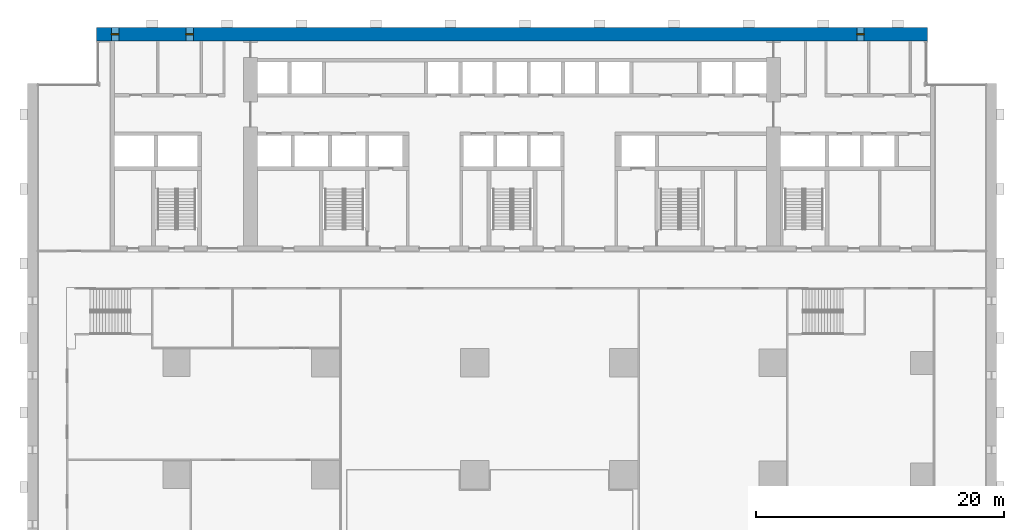
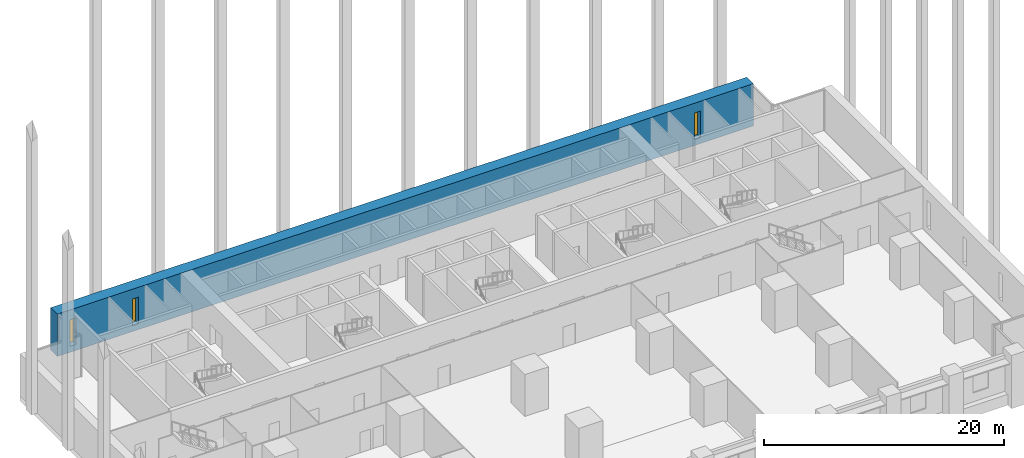
# One storey, part 11 of 17: 3 windows, 1 wall, 3 openings.
"""IFC4 building model written with IfcOpenShell, lengths in metres."""

from ifc_helpers import new_model, si_unit, direction, frame, frame_2d, origin, place, context, subcontext, project, spatial, rectangle, extrude, material, layer, layer_set, type_object, element, fill, save


model = new_model("IFC4")

# Units and contexts
model_context = context("Model", 3, precision=1e-05, world=origin(), true_north=direction((0.0, 1.0)))
body_context = subcontext(model_context, "Body", "Model", "MODEL_VIEW")
ifc_project = project(units=[si_unit("LENGTHUNIT", "METRE"), si_unit("AREAUNIT", "SQUARE_METRE"), si_unit("VOLUMEUNIT", "CUBIC_METRE"), si_unit("PLANEANGLEUNIT", "RADIAN"), si_unit("MASSUNIT", "GRAM", prefix="KILO")], contexts=[model_context])

# Site, building, storey
site_placement = place(None, origin())
site = spatial("IfcSite", under=ifc_project, at=site_placement, CompositionType="ELEMENT")
building_placement = place(site_placement, origin())
building = spatial("IfcBuilding", under=site, at=building_placement, Name="Calvaro Tower", CompositionType="ELEMENT")
storey_placement = place(building_placement, frame((0.0, 0.0, 6.5)))
storey = spatial("IfcBuildingStorey", under=building, at=storey_placement, Name="L01", CompositionType="ELEMENT", Elevation=6.5)

# Wall, openings, windows
ifc_material_1 = material(Name="Concrete C80/95", Category="concrete")
ifc_layer = layer(ifc_material_1, 1.10009765625)
ifc_layer_set = layer_set([ifc_layer], Name="Concrete C80/95")
wall_type = type_object("IfcWallType", Name="Rear core wall 1100 C80/95", PredefinedType="SHEAR", material=ifc_layer_set)
wall_placement = place(storey_placement, frame((5.550048828125, 45.449951171875, 0.0), z_axis=(0.0, 0.0, 1.0), x_axis=(1.0, 0.0, 0.0)))
wall = element("IfcWall", 1, at=wall_placement, inside=storey, type_object=wall_type, Name="North core wall", PredefinedType="SHEAR", context=body_context, shape_type="SweptSolid", body=[
    extrude(rectangle(XDim=66.89990234375, YDim=1.10009765625, at=frame_2d((33.449951171875, 0.0))), origin(), (0.0, 0.0, 1.0), 4.300048828125),
])
opening_1_placement = place(wall_placement, frame((1.199951171875, 0.0, 0.60009765625)))
opening_1 = element("IfcOpeningElement", 2, at=opening_1_placement, cuts=wall, Name="Opening WN01", PredefinedType="OPENING", context=body_context, shape_type="SweptSolid", body=[
    extrude(rectangle(XDim=0.60009765625, YDim=2.699951171875, at=frame_2d((0.300048828125, 1.35009765625))), frame((0.0, 0.56005859375, 0.0), z_axis=(0.0, -1.0, 0.0), x_axis=(1.0, 0.0, 0.0)), (0.0, 0.0, 1.0), 1.1201171875),
])
opening_2_placement = place(wall_placement, frame((7.199951171875, 0.0, 0.60009765625)))
opening_2 = element("IfcOpeningElement", 3, at=opening_2_placement, cuts=wall, Name="Opening WN02", PredefinedType="OPENING", context=body_context, shape_type="SweptSolid", body=[
    extrude(rectangle(XDim=0.60009765625, YDim=2.699951171875, at=frame_2d((0.300048828125, 1.35009765625))), frame((0.0, 0.56005859375, 0.0), z_axis=(0.0, -1.0, 0.0), x_axis=(1.0, 0.0, 0.0)), (0.0, 0.0, 1.0), 1.1201171875),
])
opening_3_placement = place(wall_placement, frame((61.199951171875, 0.0, 0.60009765625)))
opening_3 = element("IfcOpeningElement", 4, at=opening_3_placement, cuts=wall, Name="Opening WN11", PredefinedType="OPENING", context=body_context, shape_type="SweptSolid", body=[
    extrude(rectangle(XDim=0.60009765625, YDim=2.699951171875, at=frame_2d((0.300048828125, 1.35009765625))), frame((0.0, 0.56005859375, 0.0), z_axis=(0.0, -1.0, 0.0), x_axis=(1.0, 0.0, 0.0)), (0.0, 0.0, 1.0), 1.1201171875),
])
ifc_material_2 = material(Name="Glass", Category="glass")
window_type = type_object("IfcWindowType", Name="Slit window 600 x 2700", PartitioningType="SINGLE_PANEL", PredefinedType="WINDOW", material=ifc_material_2)
window_1_placement = place(opening_1_placement, origin())
window_1 = element("IfcWindow", 5, at=window_1_placement, inside=storey, type_object=window_type, Name="Window WN01", OverallHeight=2.699951171875, OverallWidth=0.60009765625, PartitioningType="SINGLE_PANEL", PredefinedType="WINDOW", context=body_context, shape_type="SweptSolid", body=[
    extrude(rectangle(XDim=0.60009765625, YDim=2.699951171875, at=frame_2d((0.300048828125, 1.35009765625))), frame((0.0, 0.030029296875, 0.0), z_axis=(0.0, -1.0, 0.0), x_axis=(1.0, 0.0, 0.0)), (0.0, 0.0, 1.0), 0.06005859375),
])
fill(opening_1, window_1)
window_2_placement = place(opening_2_placement, origin())
window_2 = element("IfcWindow", 6, at=window_2_placement, inside=storey, type_object=window_type, Name="Window WN02", OverallHeight=2.699951171875, OverallWidth=0.60009765625, PartitioningType="SINGLE_PANEL", PredefinedType="WINDOW", context=body_context, shape_type="SweptSolid", body=[
    extrude(rectangle(XDim=0.60009765625, YDim=2.699951171875, at=frame_2d((0.300048828125, 1.35009765625))), frame((0.0, 0.030029296875, 0.0), z_axis=(0.0, -1.0, 0.0), x_axis=(1.0, 0.0, 0.0)), (0.0, 0.0, 1.0), 0.06005859375),
])
fill(opening_2, window_2)
window_3_placement = place(opening_3_placement, origin())
window_3 = element("IfcWindow", 7, at=window_3_placement, inside=storey, type_object=window_type, Name="Window WN11", OverallHeight=2.699951171875, OverallWidth=0.60009765625, PartitioningType="SINGLE_PANEL", PredefinedType="WINDOW", context=body_context, shape_type="SweptSolid", body=[
    extrude(rectangle(XDim=0.60009765625, YDim=2.699951171875, at=frame_2d((0.300048828125, 1.35009765625))), frame((0.0, 0.030029296875, 0.0), z_axis=(0.0, -1.0, 0.0), x_axis=(1.0, 0.0, 0.0)), (0.0, 0.0, 1.0), 0.06005859375),
])
fill(opening_3, window_3)

save(model, "model.ifc")
